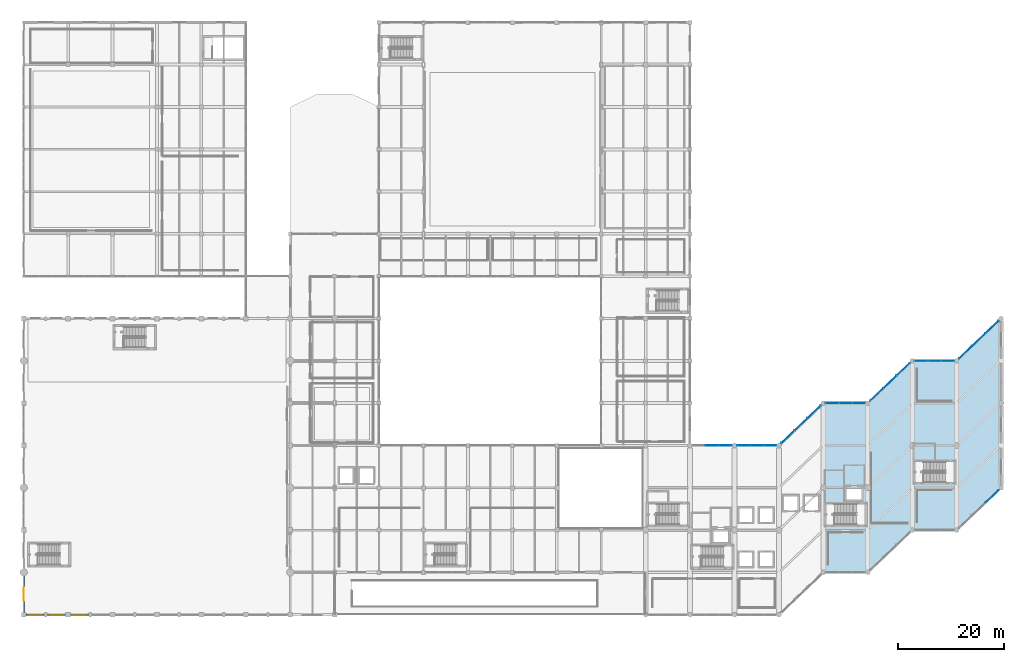
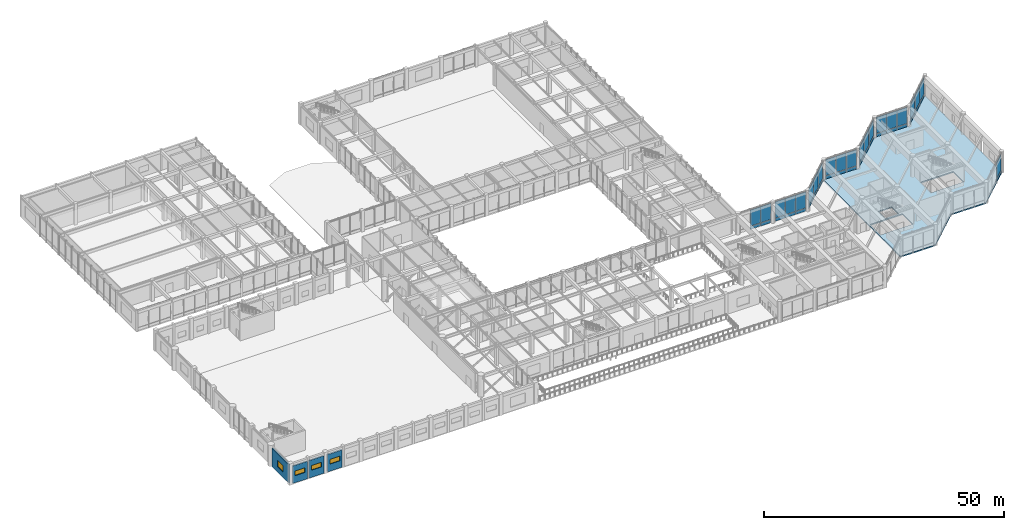
# One storey, part 55 of 79: 42 plates, 4 walls, 4 windows, 1 slab, 4 openings, 8 elements without a shape of their own.
"""IFC4 building model written with IfcOpenShell, lengths in metres."""

from ifc_helpers import new_model, si_unit, direction, frame, frame_2d, origin, origin_2d, place, context, subcontext, project, spatial, polyline, rectangle, outline, extrude, material, layer, layer_set, type_object, element, fill, aggregate, save


model = new_model("IFC4")

# Units and contexts
model_context = context("Model", 3, precision=1e-05, world=origin(), true_north=direction((0.0, 1.0)))
body_context = subcontext(model_context, "Body", "Model", "MODEL_VIEW")
ifc_project = project(units=[si_unit("LENGTHUNIT", "METRE"), si_unit("AREAUNIT", "SQUARE_METRE"), si_unit("VOLUMEUNIT", "CUBIC_METRE"), si_unit("PLANEANGLEUNIT", "RADIAN"), si_unit("MASSUNIT", "GRAM", prefix="KILO")], contexts=[model_context])

# Site, building, storey
site_placement = place(None, origin())
site = spatial("IfcSite", under=ifc_project, at=site_placement, CompositionType="ELEMENT")
building_placement = place(site_placement, origin())
building = spatial("IfcBuilding", under=site, at=building_placement, Name="Naruveol Harbour Congress Hotel", CompositionType="ELEMENT")
storey_placement = place(building_placement, frame((0.0, 0.0, 6.0)))
storey = spatial("IfcBuildingStorey", under=building, at=storey_placement, Name="L01", CompositionType="ELEMENT", Elevation=6.0)

# Curtain wall, plates
ifc_material_1 = material(Name="Low-E Curtain Wall System", Category="glass")
ifc_layer_1 = layer(ifc_material_1, 0.179931640625)
ifc_layer_set_1 = layer_set([ifc_layer_1], Name="Low-E Curtain Wall System")
curtain_wall_type_1 = type_object("IfcCurtainWallType", Name="UNITISED CURTAIN WALL CW-V5N-51 7500X5120", PredefinedType="USERDEFINED", material=ifc_layer_set_1)
curtain_wall_1_placement = place(storey_placement, origin())
curtain_wall_1 = element("IfcCurtainWall", 1, at=curtain_wall_1_placement, inside=storey, type_object=curtain_wall_type_1, Name="Unitised curtain wall CW-V5N-51 L01", ObjectType="UNITISED GLAZING", PredefinedType="USERDEFINED")
ifc_material_2 = material(Name="Anodised Aluminium Spandrel", Category="aluminium")
ifc_layer_2 = layer(ifc_material_2, 0.054931640625)
ifc_layer_set_2 = layer_set([ifc_layer_2], Name="Anodised Aluminium Spandrel")
plate_type_1 = type_object("IfcPlateType", Name="INSULATED CERAMIC SPANDREL PANEL 55", PredefinedType="CURTAIN_PANEL", material=ifc_layer_set_2)
plate_1_placement = place(storey_placement, frame((130.199951171875, 32.010009765625, 0.0400390625), z_axis=(0.0, 0.0, 1.0), x_axis=(1.0, 0.0, 0.0)))
plate_1 = element("IfcPlate", 2, at=plate_1_placement, type_object=plate_type_1, Name="Curtain wall spandrel panel CW-L01-0138-PS1", PredefinedType="CURTAIN_PANEL", context=body_context, shape_type="SweptSolid", body=[
    extrude(rectangle(XDim=2.419921875, YDim=0.054931640625, at=origin_2d()), origin(), (0.0, 0.0, 1.0), 0.77001953125),
])
plate_2_placement = place(storey_placement, frame((132.699951171875, 32.010009765625, 0.0400390625), z_axis=(0.0, 0.0, 1.0), x_axis=(1.0, 0.0, 0.0)))
plate_2 = element("IfcPlate", 3, at=plate_2_placement, type_object=plate_type_1, Name="Curtain wall spandrel panel CW-L01-0138-PS2", PredefinedType="CURTAIN_PANEL", context=body_context, shape_type="SweptSolid", body=[
    extrude(rectangle(XDim=2.419921875, YDim=0.054931640625, at=origin_2d()), origin(), (0.0, 0.0, 1.0), 0.77001953125),
])

curtain_wall_2_placement = place(storey_placement, origin())
curtain_wall_2 = element("IfcCurtainWall", 4, at=curtain_wall_2_placement, inside=storey, type_object=curtain_wall_type_1, Name="Unitised curtain wall CW-V5N-51 L01", ObjectType="UNITISED GLAZING", PredefinedType="USERDEFINED")
plate_3_placement = place(storey_placement, frame((136.10009765625, 32.010009765625, 0.0400390625), z_axis=(0.0, 0.0, 1.0), x_axis=(1.0, 0.0, 0.0)))
plate_3 = element("IfcPlate", 5, at=plate_3_placement, type_object=plate_type_1, Name="Curtain wall spandrel panel CW-L01-0140-PS0", PredefinedType="CURTAIN_PANEL", context=body_context, shape_type="SweptSolid", body=[
    extrude(rectangle(XDim=2.419921875, YDim=0.054931640625, at=origin_2d()), origin(), (0.0, 0.0, 1.0), 0.77001953125),
])
plate_4_placement = place(storey_placement, frame((138.60009765625, 32.010009765625, 0.0400390625), z_axis=(0.0, 0.0, 1.0), x_axis=(1.0, 0.0, 0.0)))
plate_4 = element("IfcPlate", 6, at=plate_4_placement, type_object=plate_type_1, Name="Curtain wall spandrel panel CW-L01-0140-PS1", PredefinedType="CURTAIN_PANEL", context=body_context, shape_type="SweptSolid", body=[
    extrude(rectangle(XDim=2.419921875, YDim=0.054931640625, at=origin_2d()), origin(), (0.0, 0.0, 1.0), 0.77001953125),
])
plate_5_placement = place(storey_placement, frame((141.10009765625, 32.010009765625, 0.0400390625), z_axis=(0.0, 0.0, 1.0), x_axis=(1.0, 0.0, 0.0)))
plate_5 = element("IfcPlate", 7, at=plate_5_placement, type_object=plate_type_1, Name="Curtain wall spandrel panel CW-L01-0140-PS2", PredefinedType="CURTAIN_PANEL", context=body_context, shape_type="SweptSolid", body=[
    extrude(rectangle(XDim=2.419921875, YDim=0.054931640625, at=origin_2d()), origin(), (0.0, 0.0, 1.0), 0.77001953125),
])

ifc_material_3 = material(Name="Low-E Curtain Wall System", Category="glass")
ifc_layer_3 = layer(ifc_material_3, 0.179931640625)
ifc_layer_set_3 = layer_set([ifc_layer_3], Name="Low-E Curtain Wall System")
curtain_wall_type_2 = type_object("IfcCurtainWallType", Name="UNITISED CURTAIN WALL CW-V5N-53 10357X5120", PredefinedType="USERDEFINED", material=ifc_layer_set_3)
curtain_wall_3_placement = place(storey_placement, origin())
curtain_wall_3 = element("IfcCurtainWall", 8, at=curtain_wall_3_placement, inside=storey, type_object=curtain_wall_type_2, Name="Unitised curtain wall CW-V5N-53 L01", ObjectType="UNITISED GLAZING", PredefinedType="USERDEFINED")
plate_6_placement = place(storey_placement, frame((144.4931640625, 33.626708984375, 0.0400390625), z_axis=(0.0, 0.0, 1.0), x_axis=(0.724183897459, 0.689606904447, 0.0)))
plate_6 = element("IfcPlate", 9, at=plate_6_placement, type_object=plate_type_1, Name="Curtain wall spandrel panel CW-L01-0142-PS0", PredefinedType="CURTAIN_PANEL", context=body_context, shape_type="SweptSolid", body=[
    extrude(rectangle(XDim=3.3720703125, YDim=0.054931640625, at=origin_2d()), origin(), (0.0, 0.0, 1.0), 0.77001953125),
])
plate_7_placement = place(storey_placement, frame((146.9931640625, 36.007080078125, 0.0400390625), z_axis=(0.0, 0.0, 1.0), x_axis=(0.724183897459, 0.689606904447, 0.0)))
plate_7 = element("IfcPlate", 10, at=plate_7_placement, type_object=plate_type_1, Name="Curtain wall spandrel panel CW-L01-0142-PS1", PredefinedType="CURTAIN_PANEL", context=body_context, shape_type="SweptSolid", body=[
    extrude(rectangle(XDim=3.3720703125, YDim=0.054931640625, at=origin_2d()), origin(), (0.0, 0.0, 1.0), 0.77001953125),
])
plate_8_placement = place(storey_placement, frame((149.4931640625, 38.387939453125, 0.0400390625), z_axis=(0.0, 0.0, 1.0), x_axis=(0.724183897459, 0.689606904447, 0.0)))
plate_8 = element("IfcPlate", 11, at=plate_8_placement, type_object=plate_type_1, Name="Curtain wall spandrel panel CW-L01-0142-PS2", PredefinedType="CURTAIN_PANEL", context=body_context, shape_type="SweptSolid", body=[
    extrude(rectangle(XDim=3.3720703125, YDim=0.054931640625, at=origin_2d()), origin(), (0.0, 0.0, 1.0), 0.77001953125),
])

curtain_wall_4_placement = place(storey_placement, origin())
curtain_wall_4 = element("IfcCurtainWall", 12, at=curtain_wall_4_placement, inside=storey, type_object=curtain_wall_type_1, Name="Unitised curtain wall CW-V5N-51 L01", ObjectType="UNITISED GLAZING", PredefinedType="USERDEFINED")
plate_9_placement = place(storey_placement, frame((152.89990234375, 40.010009765625, 0.0400390625), z_axis=(0.0, 0.0, 1.0), x_axis=(1.0, 0.0, 0.0)))
plate_9 = element("IfcPlate", 13, at=plate_9_placement, type_object=plate_type_1, Name="Curtain wall spandrel panel CW-L01-0144-PS0", PredefinedType="CURTAIN_PANEL", context=body_context, shape_type="SweptSolid", body=[
    extrude(rectangle(XDim=2.419921875, YDim=0.054931640625, at=origin_2d()), origin(), (0.0, 0.0, 1.0), 0.77001953125),
])
plate_10_placement = place(storey_placement, frame((155.39990234375, 40.010009765625, 0.0400390625), z_axis=(0.0, 0.0, 1.0), x_axis=(1.0, 0.0, 0.0)))
plate_10 = element("IfcPlate", 14, at=plate_10_placement, type_object=plate_type_1, Name="Curtain wall spandrel panel CW-L01-0144-PS1", PredefinedType="CURTAIN_PANEL", context=body_context, shape_type="SweptSolid", body=[
    extrude(rectangle(XDim=2.419921875, YDim=0.054931640625, at=origin_2d()), origin(), (0.0, 0.0, 1.0), 0.77001953125),
])
plate_11_placement = place(storey_placement, frame((157.89990234375, 40.010009765625, 0.0400390625), z_axis=(0.0, 0.0, 1.0), x_axis=(1.0, 0.0, 0.0)))
plate_11 = element("IfcPlate", 15, at=plate_11_placement, type_object=plate_type_1, Name="Curtain wall spandrel panel CW-L01-0144-PS2", PredefinedType="CURTAIN_PANEL", context=body_context, shape_type="SweptSolid", body=[
    extrude(rectangle(XDim=2.419921875, YDim=0.054931640625, at=origin_2d()), origin(), (0.0, 0.0, 1.0), 0.77001953125),
])

curtain_wall_5_placement = place(storey_placement, origin())
curtain_wall_5 = element("IfcCurtainWall", 16, at=curtain_wall_5_placement, inside=storey, type_object=curtain_wall_type_2, Name="Unitised curtain wall CW-V5N-53 L01", ObjectType="UNITISED GLAZING", PredefinedType="USERDEFINED")
plate_12_placement = place(storey_placement, frame((161.293212890625, 41.626708984375, 0.0400390625), z_axis=(0.0, 0.0, 1.0), x_axis=(0.724183897459, 0.689606904447, 0.0)))
plate_12 = element("IfcPlate", 17, at=plate_12_placement, type_object=plate_type_1, Name="Curtain wall spandrel panel CW-L01-0146-PS0", PredefinedType="CURTAIN_PANEL", context=body_context, shape_type="SweptSolid", body=[
    extrude(rectangle(XDim=3.3720703125, YDim=0.054931640625, at=origin_2d()), origin(), (0.0, 0.0, 1.0), 0.77001953125),
])
plate_13_placement = place(storey_placement, frame((163.793212890625, 44.007080078125, 0.0400390625), z_axis=(0.0, 0.0, 1.0), x_axis=(0.724183897459, 0.689606904447, 0.0)))
plate_13 = element("IfcPlate", 18, at=plate_13_placement, type_object=plate_type_1, Name="Curtain wall spandrel panel CW-L01-0146-PS1", PredefinedType="CURTAIN_PANEL", context=body_context, shape_type="SweptSolid", body=[
    extrude(rectangle(XDim=3.3720703125, YDim=0.054931640625, at=origin_2d()), origin(), (0.0, 0.0, 1.0), 0.77001953125),
])
plate_14_placement = place(storey_placement, frame((166.293212890625, 46.387939453125, 0.0400390625), z_axis=(0.0, 0.0, 1.0), x_axis=(0.724183897459, 0.689606904447, 0.0)))
plate_14 = element("IfcPlate", 19, at=plate_14_placement, type_object=plate_type_1, Name="Curtain wall spandrel panel CW-L01-0146-PS2", PredefinedType="CURTAIN_PANEL", context=body_context, shape_type="SweptSolid", body=[
    extrude(rectangle(XDim=3.3720703125, YDim=0.054931640625, at=origin_2d()), origin(), (0.0, 0.0, 1.0), 0.77001953125),
])

curtain_wall_6_placement = place(storey_placement, origin())
curtain_wall_6 = element("IfcCurtainWall", 20, at=curtain_wall_6_placement, inside=storey, type_object=curtain_wall_type_1, Name="Unitised curtain wall CW-V5N-51 L01", ObjectType="UNITISED GLAZING", PredefinedType="USERDEFINED")
plate_15_placement = place(storey_placement, frame((169.699951171875, 48.010009765625, 0.0400390625), z_axis=(0.0, 0.0, 1.0), x_axis=(1.0, 0.0, 0.0)))
plate_15 = element("IfcPlate", 21, at=plate_15_placement, type_object=plate_type_1, Name="Curtain wall spandrel panel CW-L01-0148-PS0", PredefinedType="CURTAIN_PANEL", context=body_context, shape_type="SweptSolid", body=[
    extrude(rectangle(XDim=2.419921875, YDim=0.054931640625, at=origin_2d()), origin(), (0.0, 0.0, 1.0), 0.77001953125),
])
plate_16_placement = place(storey_placement, frame((172.199951171875, 48.010009765625, 0.0400390625), z_axis=(0.0, 0.0, 1.0), x_axis=(1.0, 0.0, 0.0)))
plate_16 = element("IfcPlate", 22, at=plate_16_placement, type_object=plate_type_1, Name="Curtain wall spandrel panel CW-L01-0148-PS1", PredefinedType="CURTAIN_PANEL", context=body_context, shape_type="SweptSolid", body=[
    extrude(rectangle(XDim=2.419921875, YDim=0.054931640625, at=origin_2d()), origin(), (0.0, 0.0, 1.0), 0.77001953125),
])
plate_17_placement = place(storey_placement, frame((174.699951171875, 48.010009765625, 0.0400390625), z_axis=(0.0, 0.0, 1.0), x_axis=(1.0, 0.0, 0.0)))
plate_17 = element("IfcPlate", 23, at=plate_17_placement, type_object=plate_type_1, Name="Curtain wall spandrel panel CW-L01-0148-PS2", PredefinedType="CURTAIN_PANEL", context=body_context, shape_type="SweptSolid", body=[
    extrude(rectangle(XDim=2.419921875, YDim=0.054931640625, at=origin_2d()), origin(), (0.0, 0.0, 1.0), 0.77001953125),
])

# Curtain wall, plate
ifc_material_4 = material(Name="Low-E Curtain Wall System", Category="glass")
ifc_layer_4 = layer(ifc_material_4, 0.179931640625)
ifc_layer_set_4 = layer_set([ifc_layer_4], Name="Low-E Curtain Wall System")
curtain_wall_type_3 = type_object("IfcCurtainWallType", Name="UNITISED CURTAIN WALL CW-V5S-52 10357X5120", PredefinedType="USERDEFINED", material=ifc_layer_set_4)
curtain_wall_7_placement = place(storey_placement, origin())
curtain_wall_7 = element("IfcCurtainWall", 24, at=curtain_wall_7_placement, inside=storey, type_object=curtain_wall_type_3, Name="Unitised curtain wall CW-V5S-52 L01", ObjectType="UNITISED GLAZING", PredefinedType="USERDEFINED")
plate_18_placement = place(storey_placement, frame((183.10693359375, 22.373291015625, 0.0400390625), z_axis=(0.0, 0.0, 1.0), x_axis=(-0.724183897459, -0.689606904447, 0.0)))
plate_18 = element("IfcPlate", 25, at=plate_18_placement, type_object=plate_type_1, Name="Curtain wall spandrel panel CW-L01-0149-PS0", PredefinedType="CURTAIN_PANEL", context=body_context, shape_type="SweptSolid", body=[
    extrude(rectangle(XDim=3.3720703125, YDim=0.054931640625, at=origin_2d()), origin(), (0.0, 0.0, 1.0), 0.77001953125),
])

# Curtain wall, plates
curtain_wall_8_placement = place(storey_placement, origin())
curtain_wall_8 = element("IfcCurtainWall", 26, at=curtain_wall_8_placement, inside=storey, type_object=curtain_wall_type_2, Name="Unitised curtain wall CW-V5N-53 L01", ObjectType="UNITISED GLAZING", PredefinedType="USERDEFINED")
plate_19_placement = place(storey_placement, frame((178.093017578125, 49.626708984375, 0.0400390625), z_axis=(0.0, 0.0, 1.0), x_axis=(0.724183897459, 0.689606904447, 0.0)))
plate_19 = element("IfcPlate", 27, at=plate_19_placement, type_object=plate_type_1, Name="Curtain wall spandrel panel CW-L01-0150-PS0", PredefinedType="CURTAIN_PANEL", context=body_context, shape_type="SweptSolid", body=[
    extrude(rectangle(XDim=3.3720703125, YDim=0.054931640625, at=origin_2d()), origin(), (0.0, 0.0, 1.0), 0.77001953125),
])
plate_20_placement = place(storey_placement, frame((180.593017578125, 52.007080078125, 0.0400390625), z_axis=(0.0, 0.0, 1.0), x_axis=(0.724183897459, 0.689606904447, 0.0)))
plate_20 = element("IfcPlate", 28, at=plate_20_placement, type_object=plate_type_1, Name="Curtain wall spandrel panel CW-L01-0150-PS1", PredefinedType="CURTAIN_PANEL", context=body_context, shape_type="SweptSolid", body=[
    extrude(rectangle(XDim=3.3720703125, YDim=0.054931640625, at=origin_2d()), origin(), (0.0, 0.0, 1.0), 0.77001953125),
])
plate_21_placement = place(storey_placement, frame((183.093017578125, 54.387939453125, 0.0400390625), z_axis=(0.0, 0.0, 1.0), x_axis=(0.724183897459, 0.689606904447, 0.0)))
plate_21 = element("IfcPlate", 29, at=plate_21_placement, type_object=plate_type_1, Name="Curtain wall spandrel panel CW-L01-0150-PS2", PredefinedType="CURTAIN_PANEL", context=body_context, shape_type="SweptSolid", body=[
    extrude(rectangle(XDim=3.3720703125, YDim=0.054931640625, at=origin_2d()), origin(), (0.0, 0.0, 1.0), 0.77001953125),
])

# Plate
ifc_material_5 = material(Name="Low-E Insulated Glass", Category="glass")
ifc_layer_5 = layer(ifc_material_5, 0.0419921875)
ifc_layer_set_5 = layer_set([ifc_layer_5], Name="Low-E Insulated Glass")
plate_type_2 = type_object("IfcPlateType", Name="LOW-E TRIPLE GLAZED CURTAIN PANEL 42", PredefinedType="CURTAIN_PANEL", material=ifc_layer_set_5)
plate_22_placement = place(storey_placement, frame((130.199951171875, 32.010009765625, 0.89013671875), z_axis=(0.0, 0.0, 1.0), x_axis=(1.0, 0.0, 0.0)))
plate_22 = element("IfcPlate", 30, at=plate_22_placement, type_object=plate_type_2, Name="Curtain wall vision panel CW-L01-0138-PG1", PredefinedType="CURTAIN_PANEL", context=body_context, shape_type="SweptSolid", body=[
    extrude(rectangle(XDim=2.419921875, YDim=0.0419921875, at=origin_2d()), origin(), (0.0, 0.0, 1.0), 4.110107421875),
])

plate_23_placement = place(storey_placement, frame((132.699951171875, 32.010009765625, 0.89013671875), z_axis=(0.0, 0.0, 1.0), x_axis=(1.0, 0.0, 0.0)))
plate_23 = element("IfcPlate", 31, at=plate_23_placement, type_object=plate_type_2, Name="Curtain wall vision panel CW-L01-0138-PG2", PredefinedType="CURTAIN_PANEL", context=body_context, shape_type="SweptSolid", body=[
    extrude(rectangle(XDim=2.419921875, YDim=0.0419921875, at=origin_2d()), origin(), (0.0, 0.0, 1.0), 4.110107421875),
])

aggregate(curtain_wall_1, [plate_1, plate_22, plate_2, plate_23])

plate_24_placement = place(storey_placement, frame((136.10009765625, 32.010009765625, 0.89013671875), z_axis=(0.0, 0.0, 1.0), x_axis=(1.0, 0.0, 0.0)))
plate_24 = element("IfcPlate", 32, at=plate_24_placement, type_object=plate_type_2, Name="Curtain wall vision panel CW-L01-0140-PG0", PredefinedType="CURTAIN_PANEL", context=body_context, shape_type="SweptSolid", body=[
    extrude(rectangle(XDim=2.419921875, YDim=0.0419921875, at=origin_2d()), origin(), (0.0, 0.0, 1.0), 4.110107421875),
])

plate_25_placement = place(storey_placement, frame((138.60009765625, 32.010009765625, 0.89013671875), z_axis=(0.0, 0.0, 1.0), x_axis=(1.0, 0.0, 0.0)))
plate_25 = element("IfcPlate", 33, at=plate_25_placement, type_object=plate_type_2, Name="Curtain wall vision panel CW-L01-0140-PG1", PredefinedType="CURTAIN_PANEL", context=body_context, shape_type="SweptSolid", body=[
    extrude(rectangle(XDim=2.419921875, YDim=0.0419921875, at=origin_2d()), origin(), (0.0, 0.0, 1.0), 4.110107421875),
])

plate_26_placement = place(storey_placement, frame((141.10009765625, 32.010009765625, 0.89013671875), z_axis=(0.0, 0.0, 1.0), x_axis=(1.0, 0.0, 0.0)))
plate_26 = element("IfcPlate", 34, at=plate_26_placement, type_object=plate_type_2, Name="Curtain wall vision panel CW-L01-0140-PG2", PredefinedType="CURTAIN_PANEL", context=body_context, shape_type="SweptSolid", body=[
    extrude(rectangle(XDim=2.419921875, YDim=0.0419921875, at=origin_2d()), origin(), (0.0, 0.0, 1.0), 4.110107421875),
])

aggregate(curtain_wall_2, [plate_3, plate_24, plate_4, plate_25, plate_5, plate_26])

plate_27_placement = place(storey_placement, frame((144.4931640625, 33.626708984375, 0.89013671875), z_axis=(0.0, 0.0, 1.0), x_axis=(0.724183897459, 0.689606904447, 0.0)))
plate_27 = element("IfcPlate", 35, at=plate_27_placement, type_object=plate_type_2, Name="Curtain wall vision panel CW-L01-0142-PG0", PredefinedType="CURTAIN_PANEL", context=body_context, shape_type="SweptSolid", body=[
    extrude(rectangle(XDim=3.3720703125, YDim=0.0419921875, at=origin_2d()), origin(), (0.0, 0.0, 1.0), 4.110107421875),
])

plate_28_placement = place(storey_placement, frame((146.9931640625, 36.007080078125, 0.89013671875), z_axis=(0.0, 0.0, 1.0), x_axis=(0.724183897459, 0.689606904447, 0.0)))
plate_28 = element("IfcPlate", 36, at=plate_28_placement, type_object=plate_type_2, Name="Curtain wall vision panel CW-L01-0142-PG1", PredefinedType="CURTAIN_PANEL", context=body_context, shape_type="SweptSolid", body=[
    extrude(rectangle(XDim=3.3720703125, YDim=0.0419921875, at=origin_2d()), origin(), (0.0, 0.0, 1.0), 4.110107421875),
])

plate_29_placement = place(storey_placement, frame((149.4931640625, 38.387939453125, 0.89013671875), z_axis=(0.0, 0.0, 1.0), x_axis=(0.724183897459, 0.689606904447, 0.0)))
plate_29 = element("IfcPlate", 37, at=plate_29_placement, type_object=plate_type_2, Name="Curtain wall vision panel CW-L01-0142-PG2", PredefinedType="CURTAIN_PANEL", context=body_context, shape_type="SweptSolid", body=[
    extrude(rectangle(XDim=3.3720703125, YDim=0.0419921875, at=origin_2d()), origin(), (0.0, 0.0, 1.0), 4.110107421875),
])

aggregate(curtain_wall_3, [plate_6, plate_27, plate_7, plate_28, plate_8, plate_29])

plate_30_placement = place(storey_placement, frame((152.89990234375, 40.010009765625, 0.89013671875), z_axis=(0.0, 0.0, 1.0), x_axis=(1.0, 0.0, 0.0)))
plate_30 = element("IfcPlate", 38, at=plate_30_placement, type_object=plate_type_2, Name="Curtain wall vision panel CW-L01-0144-PG0", PredefinedType="CURTAIN_PANEL", context=body_context, shape_type="SweptSolid", body=[
    extrude(rectangle(XDim=2.419921875, YDim=0.0419921875, at=origin_2d()), origin(), (0.0, 0.0, 1.0), 4.110107421875),
])

plate_31_placement = place(storey_placement, frame((155.39990234375, 40.010009765625, 0.89013671875), z_axis=(0.0, 0.0, 1.0), x_axis=(1.0, 0.0, 0.0)))
plate_31 = element("IfcPlate", 39, at=plate_31_placement, type_object=plate_type_2, Name="Curtain wall vision panel CW-L01-0144-PG1", PredefinedType="CURTAIN_PANEL", context=body_context, shape_type="SweptSolid", body=[
    extrude(rectangle(XDim=2.419921875, YDim=0.0419921875, at=origin_2d()), origin(), (0.0, 0.0, 1.0), 4.110107421875),
])

plate_32_placement = place(storey_placement, frame((157.89990234375, 40.010009765625, 0.89013671875), z_axis=(0.0, 0.0, 1.0), x_axis=(1.0, 0.0, 0.0)))
plate_32 = element("IfcPlate", 40, at=plate_32_placement, type_object=plate_type_2, Name="Curtain wall vision panel CW-L01-0144-PG2", PredefinedType="CURTAIN_PANEL", context=body_context, shape_type="SweptSolid", body=[
    extrude(rectangle(XDim=2.419921875, YDim=0.0419921875, at=origin_2d()), origin(), (0.0, 0.0, 1.0), 4.110107421875),
])

aggregate(curtain_wall_4, [plate_9, plate_30, plate_10, plate_31, plate_11, plate_32])

plate_33_placement = place(storey_placement, frame((161.293212890625, 41.626708984375, 0.89013671875), z_axis=(0.0, 0.0, 1.0), x_axis=(0.724183897459, 0.689606904447, 0.0)))
plate_33 = element("IfcPlate", 41, at=plate_33_placement, type_object=plate_type_2, Name="Curtain wall vision panel CW-L01-0146-PG0", PredefinedType="CURTAIN_PANEL", context=body_context, shape_type="SweptSolid", body=[
    extrude(rectangle(XDim=3.3720703125, YDim=0.0419921875, at=origin_2d()), origin(), (0.0, 0.0, 1.0), 4.110107421875),
])

plate_34_placement = place(storey_placement, frame((163.793212890625, 44.007080078125, 0.89013671875), z_axis=(0.0, 0.0, 1.0), x_axis=(0.724183897459, 0.689606904447, 0.0)))
plate_34 = element("IfcPlate", 42, at=plate_34_placement, type_object=plate_type_2, Name="Curtain wall vision panel CW-L01-0146-PG1", PredefinedType="CURTAIN_PANEL", context=body_context, shape_type="SweptSolid", body=[
    extrude(rectangle(XDim=3.3720703125, YDim=0.0419921875, at=origin_2d()), origin(), (0.0, 0.0, 1.0), 4.110107421875),
])

plate_35_placement = place(storey_placement, frame((166.293212890625, 46.387939453125, 0.89013671875), z_axis=(0.0, 0.0, 1.0), x_axis=(0.724183897459, 0.689606904447, 0.0)))
plate_35 = element("IfcPlate", 43, at=plate_35_placement, type_object=plate_type_2, Name="Curtain wall vision panel CW-L01-0146-PG2", PredefinedType="CURTAIN_PANEL", context=body_context, shape_type="SweptSolid", body=[
    extrude(rectangle(XDim=3.3720703125, YDim=0.0419921875, at=origin_2d()), origin(), (0.0, 0.0, 1.0), 4.110107421875),
])

aggregate(curtain_wall_5, [plate_12, plate_33, plate_13, plate_34, plate_14, plate_35])

plate_36_placement = place(storey_placement, frame((169.699951171875, 48.010009765625, 0.89013671875), z_axis=(0.0, 0.0, 1.0), x_axis=(1.0, 0.0, 0.0)))
plate_36 = element("IfcPlate", 44, at=plate_36_placement, type_object=plate_type_2, Name="Curtain wall vision panel CW-L01-0148-PG0", PredefinedType="CURTAIN_PANEL", context=body_context, shape_type="SweptSolid", body=[
    extrude(rectangle(XDim=2.419921875, YDim=0.0419921875, at=origin_2d()), origin(), (0.0, 0.0, 1.0), 4.110107421875),
])

plate_37_placement = place(storey_placement, frame((172.199951171875, 48.010009765625, 0.89013671875), z_axis=(0.0, 0.0, 1.0), x_axis=(1.0, 0.0, 0.0)))
plate_37 = element("IfcPlate", 45, at=plate_37_placement, type_object=plate_type_2, Name="Curtain wall vision panel CW-L01-0148-PG1", PredefinedType="CURTAIN_PANEL", context=body_context, shape_type="SweptSolid", body=[
    extrude(rectangle(XDim=2.419921875, YDim=0.0419921875, at=origin_2d()), origin(), (0.0, 0.0, 1.0), 4.110107421875),
])

plate_38_placement = place(storey_placement, frame((174.699951171875, 48.010009765625, 0.89013671875), z_axis=(0.0, 0.0, 1.0), x_axis=(1.0, 0.0, 0.0)))
plate_38 = element("IfcPlate", 46, at=plate_38_placement, type_object=plate_type_2, Name="Curtain wall vision panel CW-L01-0148-PG2", PredefinedType="CURTAIN_PANEL", context=body_context, shape_type="SweptSolid", body=[
    extrude(rectangle(XDim=2.419921875, YDim=0.0419921875, at=origin_2d()), origin(), (0.0, 0.0, 1.0), 4.110107421875),
])

aggregate(curtain_wall_6, [plate_15, plate_36, plate_16, plate_37, plate_17, plate_38])

plate_39_placement = place(storey_placement, frame((183.10693359375, 22.373291015625, 0.89013671875), z_axis=(0.0, 0.0, 1.0), x_axis=(-0.724183897459, -0.689606904447, 0.0)))
plate_39 = element("IfcPlate", 47, at=plate_39_placement, type_object=plate_type_2, Name="Curtain wall vision panel CW-L01-0149-PG0", PredefinedType="CURTAIN_PANEL", context=body_context, shape_type="SweptSolid", body=[
    extrude(rectangle(XDim=3.3720703125, YDim=0.0419921875, at=origin_2d()), origin(), (0.0, 0.0, 1.0), 4.110107421875),
])

aggregate(curtain_wall_7, [plate_18, plate_39])

plate_40_placement = place(storey_placement, frame((178.093017578125, 49.626708984375, 0.89013671875), z_axis=(0.0, 0.0, 1.0), x_axis=(0.724183897459, 0.689606904447, 0.0)))
plate_40 = element("IfcPlate", 48, at=plate_40_placement, type_object=plate_type_2, Name="Curtain wall vision panel CW-L01-0150-PG0", PredefinedType="CURTAIN_PANEL", context=body_context, shape_type="SweptSolid", body=[
    extrude(rectangle(XDim=3.3720703125, YDim=0.0419921875, at=origin_2d()), origin(), (0.0, 0.0, 1.0), 4.110107421875),
])

plate_41_placement = place(storey_placement, frame((180.593017578125, 52.007080078125, 0.89013671875), z_axis=(0.0, 0.0, 1.0), x_axis=(0.724183897459, 0.689606904447, 0.0)))
plate_41 = element("IfcPlate", 49, at=plate_41_placement, type_object=plate_type_2, Name="Curtain wall vision panel CW-L01-0150-PG1", PredefinedType="CURTAIN_PANEL", context=body_context, shape_type="SweptSolid", body=[
    extrude(rectangle(XDim=3.3720703125, YDim=0.0419921875, at=origin_2d()), origin(), (0.0, 0.0, 1.0), 4.110107421875),
])

plate_42_placement = place(storey_placement, frame((183.093017578125, 54.387939453125, 0.89013671875), z_axis=(0.0, 0.0, 1.0), x_axis=(0.724183897459, 0.689606904447, 0.0)))
plate_42 = element("IfcPlate", 50, at=plate_42_placement, type_object=plate_type_2, Name="Curtain wall vision panel CW-L01-0150-PG2", PredefinedType="CURTAIN_PANEL", context=body_context, shape_type="SweptSolid", body=[
    extrude(rectangle(XDim=3.3720703125, YDim=0.0419921875, at=origin_2d()), origin(), (0.0, 0.0, 1.0), 4.110107421875),
])

aggregate(curtain_wall_8, [plate_19, plate_40, plate_20, plate_41, plate_21, plate_42])

# Slab
ifc_material_6 = material(Name="Concrete C40/50", Category="concrete")
ifc_layer_6 = layer(ifc_material_6, 0.300048828125)
ifc_layer_set_6 = layer_set([ifc_layer_6], Name="Concrete C40/50")
slab_type = type_object("IfcSlabType", Name="RC AUDITORIUM AND HALL SLAB 300", PredefinedType="FLOOR", material=ifc_layer_set_6)
slab_placement = place(storey_placement, frame((0.0, 0.0, -0.300048828125)))
element("IfcSlab", 51, at=slab_placement, inside=storey, type_object=slab_type, Name="Level L01 Waterfront hotel mezzanine east slab", PredefinedType="FLOOR", context=body_context, shape_type="SweptSolid", body=[
    extrude(outline(polyline([(151.199951171875, 8.0), (159.60009765625, 8.0), (168.0, 16.0), (176.39990234375, 16.0), (184.800048828125, 24.0), (184.800048828125, 56.0), (176.39990234375, 48.0), (168.0, 48.0), (159.60009765625, 40.0), (151.199951171875, 40.0), (151.199951171875, 8.0)]), holes=[polyline([(151.5, 16.800048828125), (159.300048828125, 16.800048828125), (159.300048828125, 21.159912109375), (151.5, 21.159912109375), (151.5, 16.800048828125)]), polyline([(168.300048828125, 24.800048828125), (176.10009765625, 24.800048828125), (176.10009765625, 29.159912109375), (168.300048828125, 29.159912109375), (168.300048828125, 24.800048828125)]), polyline([(155.39990234375, 21.550048828125), (158.60009765625, 21.550048828125), (158.60009765625, 24.449951171875), (155.39990234375, 24.449951171875), (155.39990234375, 21.550048828125)])]), origin(), (0.0, 0.0, 1.0), 0.300048828125),
])

# Wall, opening, window
ifc_material_7 = material(Name="Concrete C40/50", Category="concrete")
ifc_layer_7 = layer(ifc_material_7, 0.340087890625)
ifc_layer_set_7 = layer_set([ifc_layer_7], Name="Concrete C40/50")
wall_type = type_object("IfcWallType", Name="ACOUSTIC CONGRESS ENVELOPE WALL 340", PredefinedType="SOLIDWALL", material=ifc_layer_set_7)
wall_1_placement = place(storey_placement, frame((12.375, 0.0, 0.0), z_axis=(0.0, 0.0, 1.0), x_axis=(-1.0, 0.0, 0.0)))
wall_1 = element("IfcWall", 52, at=wall_1_placement, inside=storey, type_object=wall_type, Name="Congress south acoustic facade EW-340", PredefinedType="SOLIDWALL", context=body_context, shape_type="SweptSolid", body=[
    extrude(rectangle(XDim=3.52490234375, YDim=0.340087890625, at=frame_2d((1.762451171875, 0.0))), origin(), (0.0, 0.0, 1.0), 4.419921875),
])
opening_1_placement = place(wall_1_placement, frame((0.56298828125, 0.0, 1.800048828125)))
opening_1 = element("IfcOpeningElement", 53, at=opening_1_placement, cuts=wall_1, Name="Opening W-19", PredefinedType="OPENING", context=body_context, shape_type="SweptSolid", body=[
    extrude(rectangle(XDim=2.39990234375, YDim=1.199951171875, at=frame_2d((1.199951171875, 0.60009765625))), frame((0.0, 0.179931640625, 0.0), z_axis=(0.0, -1.0, 0.0), x_axis=(1.0, 0.0, 0.0)), (0.0, 0.0, 1.0), 0.360107421875),
])
ifc_material_8 = material(Name="Low-E Triple Glazing in Thermal Aluminium", Category="aluminium")
window_type_1 = type_object("IfcWindowType", Name="AUDITORIUM ACOUSTIC CLERESTORY 2400X1200", PartitioningType="DOUBLE_PANEL_VERTICAL", PredefinedType="WINDOW", material=ifc_material_8)
window_1_placement = place(opening_1_placement, origin())
window_1 = element("IfcWindow", 54, at=window_1_placement, inside=storey, type_object=window_type_1, Name="Window W-19 #36", OverallHeight=1.199951171875, OverallWidth=2.39990234375, PartitioningType="DOUBLE_PANEL_VERTICAL", PredefinedType="WINDOW", context=body_context, shape_type="SweptSolid", body=[
    extrude(rectangle(XDim=2.39990234375, YDim=1.199951171875, at=frame_2d((1.199951171875, 0.60009765625))), frame((0.0, 0.030029296875, 0.0), z_axis=(0.0, -1.0, 0.0), x_axis=(1.0, 0.0, 0.0)), (0.0, 0.0, 1.0), 0.06005859375),
])
fill(opening_1, window_1)

wall_2_placement = place(storey_placement, frame((7.949951171875, 0.0, 0.0), z_axis=(0.0, 0.0, 1.0), x_axis=(-1.0, 0.0, 0.0)))
wall_2 = element("IfcWall", 55, at=wall_2_placement, inside=storey, type_object=wall_type, Name="Congress south acoustic facade EW-340", PredefinedType="SOLIDWALL", context=body_context, shape_type="SweptSolid", body=[
    extrude(rectangle(XDim=3.52490234375, YDim=0.340087890625, at=frame_2d((1.762451171875, 0.0))), origin(), (0.0, 0.0, 1.0), 4.419921875),
])
opening_2_placement = place(wall_2_placement, frame((0.56298828125, 0.0, 1.800048828125)))
opening_2 = element("IfcOpeningElement", 56, at=opening_2_placement, cuts=wall_2, Name="Opening W-19", PredefinedType="OPENING", context=body_context, shape_type="SweptSolid", body=[
    extrude(rectangle(XDim=2.39990234375, YDim=1.199951171875, at=frame_2d((1.199951171875, 0.60009765625))), frame((0.0, 0.179931640625, 0.0), z_axis=(0.0, -1.0, 0.0), x_axis=(1.0, 0.0, 0.0)), (0.0, 0.0, 1.0), 0.360107421875),
])
window_2_placement = place(opening_2_placement, origin())
window_2 = element("IfcWindow", 57, at=window_2_placement, inside=storey, type_object=window_type_1, Name="Window W-19 #37", OverallHeight=1.199951171875, OverallWidth=2.39990234375, PartitioningType="DOUBLE_PANEL_VERTICAL", PredefinedType="WINDOW", context=body_context, shape_type="SweptSolid", body=[
    extrude(rectangle(XDim=2.39990234375, YDim=1.199951171875, at=frame_2d((1.199951171875, 0.60009765625))), frame((0.0, 0.030029296875, 0.0), z_axis=(0.0, -1.0, 0.0), x_axis=(1.0, 0.0, 0.0)), (0.0, 0.0, 1.0), 0.06005859375),
])
fill(opening_2, window_2)

wall_3_placement = place(storey_placement, frame((3.97509765625, 0.0, 0.0), z_axis=(0.0, 0.0, 1.0), x_axis=(-1.0, 0.0, 0.0)))
wall_3 = element("IfcWall", 58, at=wall_3_placement, inside=storey, type_object=wall_type, Name="Congress south acoustic facade EW-340", PredefinedType="SOLIDWALL", context=body_context, shape_type="SweptSolid", body=[
    extrude(rectangle(XDim=3.525146484375, YDim=0.340087890625, at=frame_2d((1.7626953125, 0.0))), origin(), (0.0, 0.0, 1.0), 4.419921875),
])
opening_3_placement = place(wall_3_placement, frame((0.56201171875, 0.0, 1.800048828125)))
opening_3 = element("IfcOpeningElement", 59, at=opening_3_placement, cuts=wall_3, Name="Opening W-19", PredefinedType="OPENING", context=body_context, shape_type="SweptSolid", body=[
    extrude(rectangle(XDim=2.39990234375, YDim=1.199951171875, at=frame_2d((1.199951171875, 0.60009765625))), frame((0.0, 0.179931640625, 0.0), z_axis=(0.0, -1.0, 0.0), x_axis=(1.0, 0.0, 0.0)), (0.0, 0.0, 1.0), 0.360107421875),
])
window_3_placement = place(opening_3_placement, origin())
window_3 = element("IfcWindow", 60, at=window_3_placement, inside=storey, type_object=window_type_1, Name="Window W-19 #38", OverallHeight=1.199951171875, OverallWidth=2.39990234375, PartitioningType="DOUBLE_PANEL_VERTICAL", PredefinedType="WINDOW", context=body_context, shape_type="SweptSolid", body=[
    extrude(rectangle(XDim=2.39990234375, YDim=1.199951171875, at=frame_2d((1.199951171875, 0.60009765625))), frame((0.0, 0.030029296875, 0.0), z_axis=(0.0, -1.0, 0.0), x_axis=(1.0, 0.0, 0.0)), (0.0, 0.0, 1.0), 0.06005859375),
])
fill(opening_3, window_3)

wall_4_placement = place(storey_placement, frame((0.0, 0.449951171875, 0.0), z_axis=(0.0, 0.0, 1.0), x_axis=(0.0, 1.0, 0.0)))
wall_4 = element("IfcWall", 61, at=wall_4_placement, inside=storey, type_object=wall_type, Name="Congress west quay facade EW-340", PredefinedType="SOLIDWALL", context=body_context, shape_type="SweptSolid", body=[
    extrude(rectangle(XDim=6.85009765625, YDim=0.340087890625, at=frame_2d((3.425048828125, 0.0))), origin(), (0.0, 0.0, 1.0), 4.669921875),
])
opening_4_placement = place(wall_4_placement, frame((2.22509765625, 0.0, 1.39990234375)))
opening_4 = element("IfcOpeningElement", 62, at=opening_4_placement, cuts=wall_4, Name="Opening W-07", PredefinedType="OPENING", context=body_context, shape_type="SweptSolid", body=[
    extrude(rectangle(XDim=2.39990234375, YDim=1.64990234375, at=frame_2d((1.199951171875, 0.824951171875))), frame((0.0, 0.179931640625, 0.0), z_axis=(0.0, -1.0, 0.0), x_axis=(1.0, 0.0, 0.0)), (0.0, 0.0, 1.0), 0.360107421875),
])
ifc_material_9 = material(Name="Low-E Triple Glazing in Thermal Aluminium", Category="aluminium")
window_type_2 = type_object("IfcWindowType", Name="CORNER SUITE WINDOW 2400X1650", PartitioningType="DOUBLE_PANEL_VERTICAL", PredefinedType="WINDOW", material=ifc_material_9)
window_4_placement = place(opening_4_placement, origin())
window_4 = element("IfcWindow", 63, at=window_4_placement, inside=storey, type_object=window_type_2, Name="Window W-07 #40", OverallHeight=1.64990234375, OverallWidth=2.39990234375, PartitioningType="DOUBLE_PANEL_VERTICAL", PredefinedType="WINDOW", context=body_context, shape_type="SweptSolid", body=[
    extrude(rectangle(XDim=2.39990234375, YDim=1.64990234375, at=frame_2d((1.199951171875, 0.824951171875))), frame((0.0, 0.030029296875, 0.0), z_axis=(0.0, -1.0, 0.0), x_axis=(1.0, 0.0, 0.0)), (0.0, 0.0, 1.0), 0.06005859375),
])
fill(opening_4, window_4)

save(model, "model.ifc")
